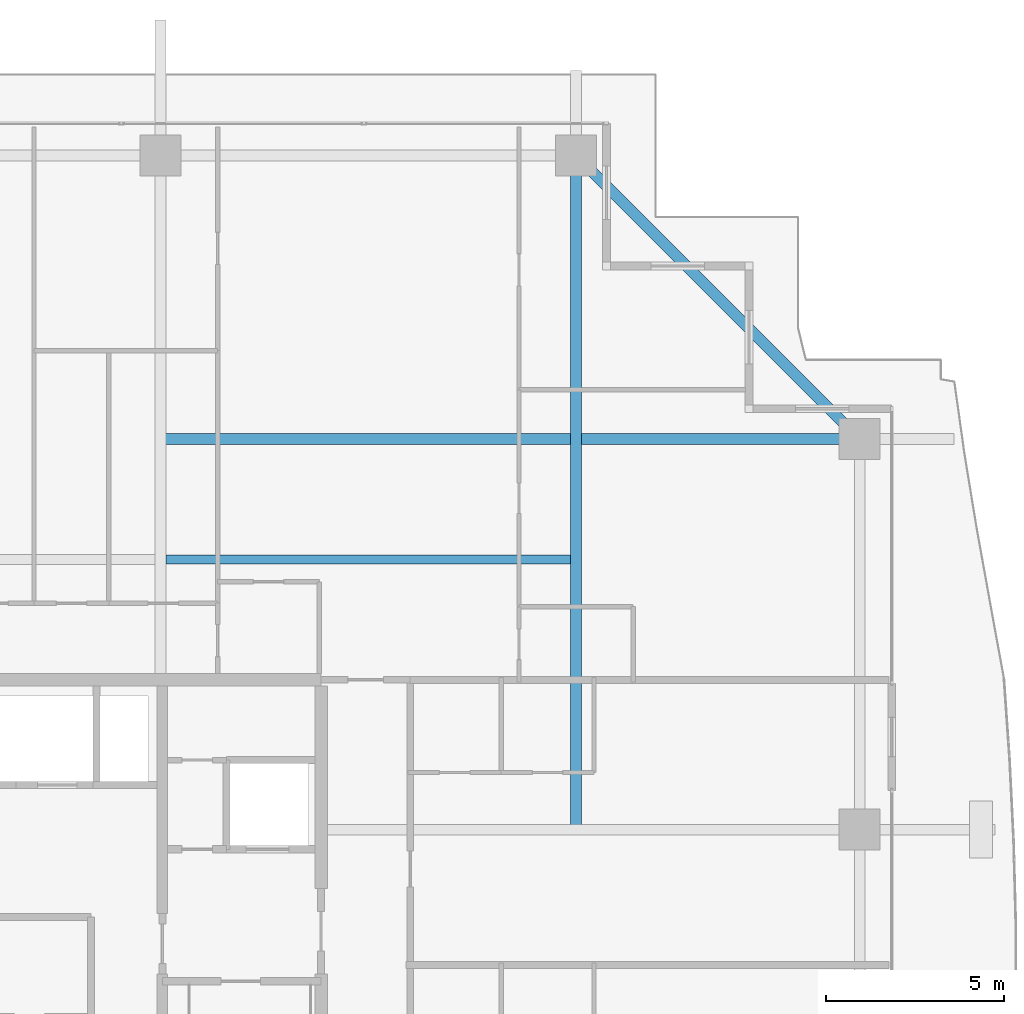
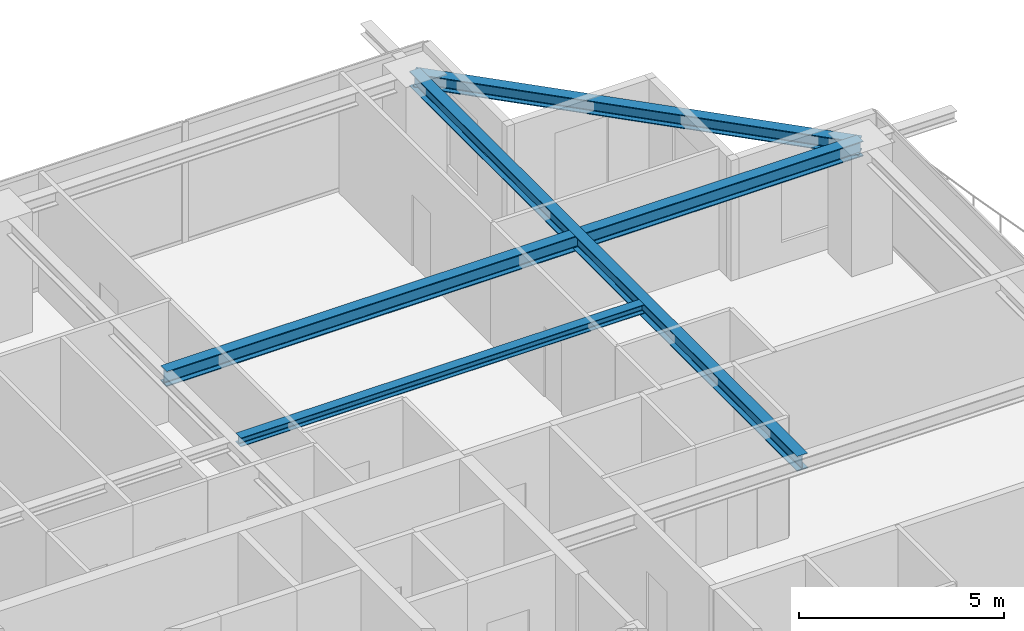
# One storey, part 22 of 37: 4 beams.
"""IFC4 building model written with IfcOpenShell, lengths in metres."""

from ifc_helpers import new_model, si_unit, direction, frame, origin, origin_2d, place, context, subcontext, project, spatial, i_section, extrude, source, transform, mapped, material, material_profile, profile_set, type_object, element, save


model = new_model("IFC4")

# Units and contexts
model_context = context("Model", 3, precision=1e-05, world=origin(), true_north=direction((0.0, 1.0)))
body_context = subcontext(model_context, "Body", "Model", "MODEL_VIEW")
ifc_project = project(units=[si_unit("LENGTHUNIT", "METRE"), si_unit("AREAUNIT", "SQUARE_METRE"), si_unit("VOLUMEUNIT", "CUBIC_METRE"), si_unit("PLANEANGLEUNIT", "RADIAN"), si_unit("MASSUNIT", "GRAM", prefix="KILO")], contexts=[model_context])

# Site, building, storey
site_placement = place(None, origin())
site = spatial("IfcSite", under=ifc_project, at=site_placement, CompositionType="ELEMENT")
building_placement = place(site_placement, origin())
building = spatial("IfcBuilding", under=site, at=building_placement, Name="Serunith Strait Residences", CompositionType="ELEMENT")
storey_placement = place(building_placement, frame((0.0, 0.0, 260.5)))
storey = spatial("IfcBuildingStorey", under=building, at=storey_placement, Name="L65", CompositionType="ELEMENT", Elevation=260.5)

# Beams
ifc_material = material(Name="Steel S355J2", Category="steel")
ifc_material_profile_1 = material_profile(ifc_material, i_section(OverallWidth=0.300048828125, OverallDepth=0.449951171875, WebThickness=0.013916015625, FlangeThickness=0.02587890625, FilletRadius=0.027099609375, at=origin_2d()), Name="HEB 450")
ifc_profile_set_1 = profile_set([ifc_material_profile_1], Name="Steel S355J2")
beam_type_1 = type_object("IfcBeamType", Name="BM-HEB450", PredefinedType="BEAM", material=ifc_profile_set_1)
shared_shape_1 = source(origin(), body_context, "Body", "SweptSolid", [
    extrude(i_section(OverallWidth=0.300048828125, OverallDepth=0.449951171875, WebThickness=0.013916015625, FlangeThickness=0.02587890625, FilletRadius=0.027099609375, at=origin_2d()), origin(), (0.0, 0.0, 1.0), 18.900146484375),
])
beam_1_placement = place(storey_placement, frame((48.550048828125, 29.39990234375, 3.362060546875), z_axis=(0.0, 1.0, 0.0), x_axis=(-1.0, 0.0, 0.0)))
element("IfcBeam", 1, at=beam_1_placement, inside=storey, type_object=beam_type_1, Name="L65 Orthogonal Corner Girder TC-N4", PredefinedType="BEAM", context=body_context, shape_type="MappedRepresentation", body=[
    mapped(shared_shape_1, transform((0.0, 0.0, 0.0), scale=1.0)),
])
shared_shape_2 = source(origin(), body_context, "Body", "SweptSolid", [
    extrude(i_section(OverallWidth=0.300048828125, OverallDepth=0.449951171875, WebThickness=0.013916015625, FlangeThickness=0.02587890625, FilletRadius=0.027099609375, at=origin_2d()), origin(), (0.0, 0.0, 1.0), 19.60009765625),
])
beam_2_placement = place(storey_placement, frame((36.89990234375, 40.35009765625, 3.362060546875), z_axis=(1.0, 0.0, 0.0), x_axis=(0.0, 1.0, 0.0)))
element("IfcBeam", 2, at=beam_2_placement, inside=storey, type_object=beam_type_1, Name="L65 Orthogonal Corner Girder TC-E4", PredefinedType="BEAM", context=body_context, shape_type="MappedRepresentation", body=[
    mapped(shared_shape_2, transform((0.0, 0.0, 0.0), scale=1.0)),
])
ifc_material_profile_2 = material_profile(ifc_material, i_section(OverallWidth=0.300048828125, OverallDepth=0.39990234375, WebThickness=0.013427734375, FlangeThickness=0.02392578125, FilletRadius=0.027099609375, at=origin_2d()), Name="HEB 400")
ifc_profile_set_2 = profile_set([ifc_material_profile_2], Name="Steel S355J2")
beam_type_2 = type_object("IfcBeamType", Name="BM-HEB400", PredefinedType="BEAM", material=ifc_profile_set_2)
shared_shape_3 = source(origin(), body_context, "Body", "SweptSolid", [
    extrude(i_section(OverallWidth=0.300048828125, OverallDepth=0.39990234375, WebThickness=0.013427734375, FlangeThickness=0.02392578125, FilletRadius=0.027099609375, at=origin_2d()), origin(), (0.0, 0.0, 1.0), 11.242919921875),
])
beam_3_placement = place(storey_placement, frame((56.5, 40.35009765625, 3.35693359375), z_axis=(-0.707106781187, 0.707106781187, 0.0), x_axis=(-0.707106781187, -0.707106781187, 0.0)))
element("IfcBeam", 3, at=beam_3_placement, inside=storey, type_object=beam_type_2, Name="L65 Perimeter Ring Beam 08", PredefinedType="BEAM", context=body_context, shape_type="MappedRepresentation", body=[
    mapped(shared_shape_3, transform((0.0, 0.0, 0.0), scale=1.0)),
])
ifc_material_profile_3 = material_profile(ifc_material, i_section(OverallWidth=0.260009765625, OverallDepth=0.260009765625, WebThickness=0.010009765625, FlangeThickness=0.017578125, FilletRadius=0.02392578125, at=origin_2d()), Name="HEB 260")
ifc_profile_set_3 = profile_set([ifc_material_profile_3], Name="Steel S355J2")
beam_type_3 = type_object("IfcBeamType", Name="BM-HEB260", PredefinedType="JOIST", material=ifc_profile_set_3)
shared_shape_4 = source(origin(), body_context, "Body", "SweptSolid", [
    extrude(i_section(OverallWidth=0.260009765625, OverallDepth=0.260009765625, WebThickness=0.010009765625, FlangeThickness=0.017578125, FilletRadius=0.02392578125, at=origin_2d()), origin(), (0.0, 0.0, 1.0), 11.349853515625),
])
beam_4_placement = place(storey_placement, frame((37.050048828125, 36.97509765625, 3.45703125), z_axis=(1.0, 0.0, 0.0), x_axis=(0.0, 1.0, 0.0)))
element("IfcBeam", 4, at=beam_4_placement, inside=storey, type_object=beam_type_3, Name="L65 Composite Floor Joist 06", PredefinedType="JOIST", context=body_context, shape_type="MappedRepresentation", body=[
    mapped(shared_shape_4, transform((0.0, 0.0, 0.0), scale=1.0)),
])

save(model, "model.ifc")
